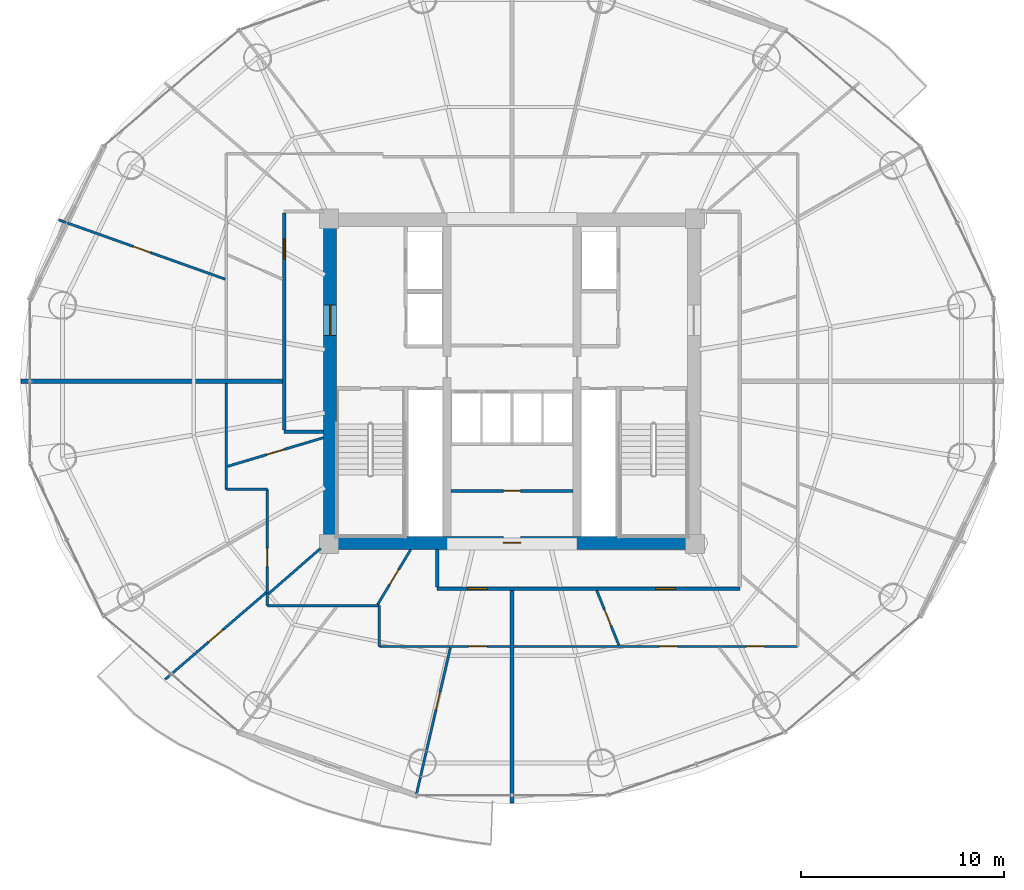
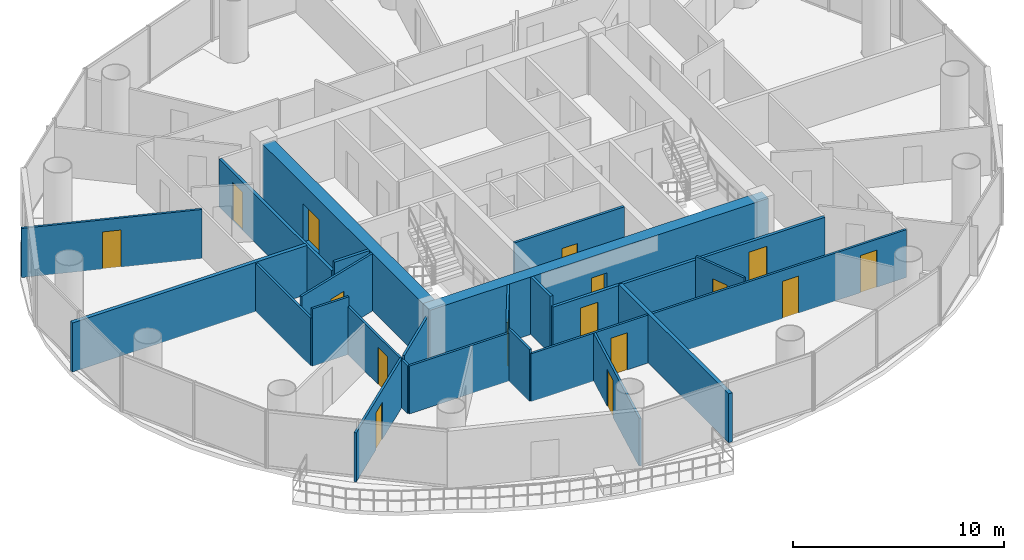
# One storey, part 21 of 27: 23 walls, 16 doors, 16 openings.
"""IFC4 building model written with IfcOpenShell, lengths in metres."""

from ifc_helpers import new_model, si_unit, direction, frame, frame_2d, origin, place, context, subcontext, project, spatial, rectangle, extrude, source, transform, mapped, material, layer, layer_set, type_object, element, fill, save


model = new_model("IFC4")

# Units and contexts
model_context = context("Model", 3, precision=1e-05, world=origin(), true_north=direction((-0.2419218956, 0.970295726276)))
body_context = subcontext(model_context, "Body", "Model", "MODEL_VIEW")
ifc_project = project(units=[si_unit("LENGTHUNIT", "METRE"), si_unit("AREAUNIT", "SQUARE_METRE"), si_unit("VOLUMEUNIT", "CUBIC_METRE"), si_unit("PLANEANGLEUNIT", "RADIAN"), si_unit("MASSUNIT", "GRAM", prefix="KILO")], contexts=[model_context])

# Site, building, storey
site_placement = place(None, origin())
site = spatial("IfcSite", under=ifc_project, at=site_placement, CompositionType="ELEMENT")
building_placement = place(site_placement, origin())
building = spatial("IfcBuilding", under=site, at=building_placement, Name="Cobrevalo Terracotta Tower", CompositionType="ELEMENT")
storey_placement = place(building_placement, frame((0.0, 0.0, 157.0)))
storey = spatial("IfcBuildingStorey", under=building, at=storey_placement, Name="L41", CompositionType="ELEMENT", Elevation=157.0)

# Wall, opening, door
ifc_material_1 = material(Name="Concrete C55", Category="concrete")
ifc_layer_1 = layer(ifc_material_1, 0.64990234375)
ifc_layer_set_1 = layer_set([ifc_layer_1], Name="Concrete C55")
wall_type_1 = type_object("IfcWallType", Name="Core shear wall 650 mm Concrete C55", PredefinedType="SHEAR", material=ifc_layer_set_1)
wall_1_placement = place(storey_placement, frame((28.72509765625, 18.85009765625, 0.0), z_axis=(0.0, 0.0, 1.0), x_axis=(1.0, 0.0, 0.0)))
wall_1 = element("IfcWall", 1, at=wall_1_placement, inside=storey, type_object=wall_type_1, Name="L41 south core shear wall", PredefinedType="SHEAR", context=body_context, shape_type="SweptSolid", body=[
    extrude(rectangle(XDim=18.5498046875, YDim=0.64990234375, at=frame_2d((9.27490234375, 0.0))), origin(), (0.0, 0.0, 1.0), 3.330078125),
])
opening_1_placement = place(wall_1_placement, frame((8.85009765625, 0.0, 0.0)))
opening_1 = element("IfcOpeningElement", 2, at=opening_1_placement, cuts=wall_1, Name="Opening ID-22", PredefinedType="OPENING", context=body_context, shape_type="SweptSolid", body=[
    extrude(rectangle(XDim=0.85009765625, YDim=2.10009765625, at=frame_2d((0.425048828125, 1.050048828125))), frame((0.0, 0.3349609375, 0.0), z_axis=(0.0, -1.0, 0.0), x_axis=(1.0, 0.0, 0.0)), (0.0, 0.0, 1.0), 0.669921875),
])
ifc_material_2 = material(Name="Powder-coated steel", Category="steel")
door_type_1 = type_object("IfcDoorType", Name="Riser shaft & meter closet fire access door 850x2100 EI 60", OperationType="NOTDEFINED", PredefinedType="DOOR", material=ifc_material_2)
shared_shape_1 = source(origin(), body_context, "Body", "SweptSolid", [
    extrude(rectangle(XDim=0.85009765625, YDim=2.10009765625, at=frame_2d((0.425048828125, 1.050048828125))), frame((0.0, 0.02490234375, 0.0), z_axis=(0.0, -1.0, 0.0), x_axis=(1.0, 0.0, 0.0)), (0.0, 0.0, 1.0), 0.050048828125),
])
door_1_placement = place(opening_1_placement, origin())
door_1 = element("IfcDoor", 3, at=door_1_placement, inside=storey, type_object=door_type_1, Name="L41 core south plant door Smoke Extract Fan Plant", OperationType="SINGLE_SWING_RIGHT", OverallHeight=2.10009765625, OverallWidth=0.85009765625, PredefinedType="DOOR", context=body_context, shape_type="MappedRepresentation", body=[
    mapped(shared_shape_1, transform((0.0, 0.0, 0.0), scale=1.0)),
])
fill(opening_1, door_1)

wall_2_placement = place(storey_placement, frame((29.050048828125, 19.175048828125, 0.0), z_axis=(0.0, 0.0, 1.0), x_axis=(0.0, 1.0, 0.0)))
wall_2 = element("IfcWall", 4, at=wall_2_placement, inside=storey, type_object=wall_type_1, Name="L41 west core shear wall", PredefinedType="SHEAR", context=body_context, shape_type="SweptSolid", body=[
    extrude(rectangle(XDim=15.25, YDim=0.64990234375, at=frame_2d((7.625, 0.0))), origin(), (0.0, 0.0, 1.0), 3.330078125),
])
opening_2_placement = place(wall_2_placement, frame((9.875, 0.0, 0.0)))
opening_2 = element("IfcOpeningElement", 5, at=opening_2_placement, cuts=wall_2, Name="Opening ID-14", PredefinedType="OPENING", context=body_context, shape_type="SweptSolid", body=[
    extrude(rectangle(XDim=1.5, YDim=2.199951171875, at=frame_2d((0.75, 1.10009765625))), frame((0.0, 0.3349609375, 0.0), z_axis=(0.0, -1.0, 0.0), x_axis=(1.0, 0.0, 0.0)), (0.0, 0.0, 1.0), 0.669921875),
])
ifc_material_3 = material(Name="Galvanized fire-rated steel", Category="steel")
door_type_2 = type_object("IfcDoorType", Name="Core cross-lobby double fire door 1500x2200 EI 90", OperationType="NOTDEFINED", PredefinedType="DOOR", material=ifc_material_3)
shared_shape_2 = source(origin(), body_context, "Body", "SweptSolid", [
    extrude(rectangle(XDim=1.5, YDim=2.199951171875, at=frame_2d((0.75, 1.10009765625))), frame((0.0, 0.02490234375, 0.0), z_axis=(0.0, -1.0, 0.0), x_axis=(1.0, 0.0, 0.0)), (0.0, 0.0, 1.0), 0.050048828125),
])
door_2_placement = place(opening_2_placement, origin())
door_2 = element("IfcDoor", 6, at=door_2_placement, inside=storey, type_object=door_type_2, Name="L41 west firefighting lobby entrance door", OperationType="DOUBLE_DOOR_SINGLE_SWING", OverallHeight=2.199951171875, OverallWidth=1.5, PredefinedType="DOOR", context=body_context, shape_type="MappedRepresentation", body=[
    mapped(shared_shape_2, transform((0.0, 0.0, 0.0), scale=1.0)),
])
fill(opening_2, door_2)

ifc_material_4 = material(Name="Gypsum board on steel stud", Category="steel")
ifc_layer_2 = layer(ifc_material_4, 0.159912109375)
ifc_layer_set_2 = layer_set([ifc_layer_2], Name="Gypsum board on steel stud")
wall_type_2 = type_object("IfcWallType", Name="Fire-rated corridor acoustic partition wall 160 mm", PredefinedType="PARTITIONING", material=ifc_layer_set_2)
wall_3_placement = place(storey_placement, frame((26.794921875, 24.39990234375, 0.0), z_axis=(0.0, 0.0, 1.0), x_axis=(0.0, 1.0, 0.0)))
wall_3 = element("IfcWall", 7, at=wall_3_placement, inside=storey, type_object=wall_type_2, Name="L41 interior partition IW-L41-COR-W", PredefinedType="PARTITIONING", context=body_context, shape_type="SweptSolid", body=[
    extrude(rectangle(XDim=10.675048828125, YDim=0.159912109375, at=frame_2d((5.33740234375, 0.0))), origin(), (0.0, 0.0, 1.0), 2.77587890625),
])
opening_3_placement = place(wall_3_placement, frame((8.422119140625, 0.0, 0.0)))
opening_3 = element("IfcOpeningElement", 8, at=opening_3_placement, cuts=wall_3, Name="Opening ID-05", PredefinedType="OPENING", context=body_context, shape_type="SweptSolid", body=[
    extrude(rectangle(XDim=0.97998046875, YDim=2.199951171875, at=frame_2d((0.489990234375, 1.10009765625))), frame((0.0, 0.08984375, 0.0), z_axis=(0.0, -1.0, 0.0), x_axis=(1.0, 0.0, 0.0)), (0.0, 0.0, 1.0), 0.179931640625),
])
ifc_material_5 = material(Name="Solid hardwood timber", Category="wood")
door_type_3 = type_object("IfcDoorType", Name="Residence entrance fire-rated acoustic timber door 980x2200 EI 60", OperationType="NOTDEFINED", PredefinedType="DOOR", material=ifc_material_5)
shared_shape_3 = source(origin(), body_context, "Body", "SweptSolid", [
    extrude(rectangle(XDim=0.97998046875, YDim=2.199951171875, at=frame_2d((0.489990234375, 1.10009765625))), frame((0.0, 0.02490234375, 0.0), z_axis=(0.0, -1.0, 0.0), x_axis=(1.0, 0.0, 0.0)), (0.0, 0.0, 1.0), 0.050048828125),
])
door_3_placement = place(opening_3_placement, origin())
door_3 = element("IfcDoor", 9, at=door_3_placement, inside=storey, type_object=door_type_3, Name="Flat L41B fire-rated apartment entrance door", OperationType="SINGLE_SWING_RIGHT", OverallHeight=2.199951171875, OverallWidth=0.97998046875, PredefinedType="DOOR", context=body_context, shape_type="MappedRepresentation", body=[
    mapped(shared_shape_3, transform((0.0, 0.0, 0.0), scale=1.0)),
])
fill(opening_3, door_3)

# Wall
wall_4_placement = place(storey_placement, frame((26.794921875, 24.320068359375, 0.0), z_axis=(0.0, 0.0, 1.0), x_axis=(1.0, 0.0, 0.0)))
element("IfcWall", 10, at=wall_4_placement, inside=storey, type_object=wall_type_2, Name="L41 interior partition IW-L41-COR-WS-CAP", PredefinedType="PARTITIONING", context=body_context, shape_type="SweptSolid", body=[
    extrude(rectangle(XDim=1.93017578125, YDim=0.159912109375, at=frame_2d((0.965087890625, 0.0))), origin(), (0.0, 0.0, 1.0), 3.330078125),
])

# Wall, openings, doors
wall_5_placement = place(storey_placement, frame((34.320068359375, 16.594970703125, 0.0), z_axis=(0.0, 0.0, 1.0), x_axis=(1.0, 0.0, 0.0)))
wall_5 = element("IfcWall", 11, at=wall_5_placement, inside=storey, type_object=wall_type_2, Name="L41 interior partition IW-L41-COR-S", PredefinedType="PARTITIONING", context=body_context, shape_type="SweptSolid", body=[
    extrude(rectangle(XDim=14.885009765625, YDim=0.159912109375, at=frame_2d((7.4423828125, 0.0))), origin(), (0.0, 0.0, 1.0), 2.77587890625),
])
opening_4_placement = place(wall_5_placement, frame((1.484130859375, 0.0, 0.0)))
opening_4 = element("IfcOpeningElement", 12, at=opening_4_placement, cuts=wall_5, Name="Opening ID-05", PredefinedType="OPENING", context=body_context, shape_type="SweptSolid", body=[
    extrude(rectangle(XDim=0.97998046875, YDim=2.199951171875, at=frame_2d((0.489990234375, 1.10009765625))), frame((0.0, 0.08984375, 0.0), z_axis=(0.0, -1.0, 0.0), x_axis=(1.0, 0.0, 0.0)), (0.0, 0.0, 1.0), 0.179931640625),
])
opening_5_placement = place(wall_5_placement, frame((10.740966796875, 0.0, 0.0)))
opening_5 = element("IfcOpeningElement", 13, at=opening_5_placement, cuts=wall_5, Name="Opening ID-05", PredefinedType="OPENING", context=body_context, shape_type="SweptSolid", body=[
    extrude(rectangle(XDim=0.97998046875, YDim=2.199951171875, at=frame_2d((0.489990234375, 1.10009765625))), frame((0.0, 0.08984375, 0.0), z_axis=(0.0, -1.0, 0.0), x_axis=(1.0, 0.0, 0.0)), (0.0, 0.0, 1.0), 0.179931640625),
])
door_4_placement = place(opening_4_placement, frame((0.97998046875, 0.0, 0.0), z_axis=(0.0, 0.0, 1.0), x_axis=(-1.0, 0.0, 0.0)))
door_4 = element("IfcDoor", 14, at=door_4_placement, inside=storey, type_object=door_type_3, Name="Flat L41C fire-rated apartment entrance door", OperationType="SINGLE_SWING_RIGHT", OverallHeight=2.199951171875, OverallWidth=0.97998046875, PredefinedType="DOOR", context=body_context, shape_type="MappedRepresentation", body=[
    mapped(shared_shape_3, transform((0.0, 0.0, 0.0), scale=1.0)),
])
fill(opening_4, door_4)
door_5_placement = place(opening_5_placement, frame((0.97998046875, 0.0, 0.0), z_axis=(0.0, 0.0, 1.0), x_axis=(-1.0, 0.0, 0.0)))
door_5 = element("IfcDoor", 15, at=door_5_placement, inside=storey, type_object=door_type_3, Name="Flat L41D fire-rated apartment entrance door", OperationType="SINGLE_SWING_LEFT", OverallHeight=2.199951171875, OverallWidth=0.97998046875, PredefinedType="DOOR", context=body_context, shape_type="MappedRepresentation", body=[
    mapped(shared_shape_3, transform((0.0, 0.0, 0.0), scale=1.0)),
])
fill(opening_5, door_5)

# Walls
wall_6_placement = place(storey_placement, frame((34.320068359375, 16.675048828125, 0.0), z_axis=(0.0, 0.0, 1.0), x_axis=(0.0, 1.0, 0.0)))
element("IfcWall", 16, at=wall_6_placement, inside=storey, type_object=wall_type_2, Name="L41 interior partition IW-L41-COR-SW-CAP", PredefinedType="PARTITIONING", context=body_context, shape_type="SweptSolid", body=[
    extrude(rectangle(XDim=1.849853515625, YDim=0.159912109375, at=frame_2d((0.9248046875, 0.0))), origin(), (0.0, 0.0, 1.0), 3.330078125),
])
ifc_material_6 = material(Name="Autoclaved aerated concrete block", Category="concrete")
ifc_layer_3 = layer(ifc_material_6, 0.199951171875)
ifc_layer_set_3 = layer_set([ifc_layer_3], Name="Autoclaved aerated concrete block")
wall_type_3 = type_object("IfcWallType", Name="Fire-rated stair, shaft & demising masonry wall 200 mm", PredefinedType="PARTITIONING", material=ifc_layer_set_3)
wall_7_placement = place(storey_placement, frame((26.715087890625, 26.800048828125, 0.0), z_axis=(0.0, 0.0, 1.0), x_axis=(-1.0, 0.0, 0.0)))
element("IfcWall", 17, at=wall_7_placement, inside=storey, type_object=wall_type_3, Name="L41 interior partition IW-L41-DEM-3", PredefinedType="PARTITIONING", context=body_context, shape_type="SweptSolid", body=[
    extrude(rectangle(XDim=12.85498046875, YDim=0.199951171875, at=frame_2d((6.427490234375, 0.0))), origin(), (0.0, 0.0, 1.0), 2.845947265625),
])
wall_8_placement = place(storey_placement, frame((38.0, 16.514892578125, 0.0), z_axis=(0.0, 0.0, 1.0), x_axis=(0.0, -1.0, 0.0)))
element("IfcWall", 18, at=wall_8_placement, inside=storey, type_object=wall_type_3, Name="L41 interior partition IW-L41-DEM-4", PredefinedType="PARTITIONING", context=body_context, shape_type="SweptSolid", body=[
    extrude(rectangle(XDim=10.454833984375, YDim=0.199951171875, at=frame_2d((5.2275390625, 0.0))), origin(), (0.0, 0.0, 1.0), 2.845947265625),
])

# Wall, opening, door
ifc_layer_4 = layer(ifc_material_6, 0.139892578125)
ifc_layer_set_4 = layer_set([ifc_layer_4], Name="Autoclaved aerated concrete block")
wall_type_4 = type_object("IfcWallType", Name="Moisture-resistant wet-room & core service partition 140 mm", PredefinedType="PARTITIONING", material=ifc_layer_set_4)
wall_9_placement = place(storey_placement, frame((34.989990234375, 21.407470703125, 0.0), z_axis=(0.0, 0.0, 1.0), x_axis=(1.0, 0.0, 0.0)))
wall_9 = element("IfcWall", 19, at=wall_9_placement, inside=storey, type_object=wall_type_4, Name="L41 interior partition IW-L41-KVS-H", PredefinedType="PARTITIONING", context=body_context, shape_type="SweptSolid", body=[
    extrude(rectangle(XDim=6.02001953125, YDim=0.139892578125, at=frame_2d((3.010009765625, 0.0))), origin(), (0.0, 0.0, 1.0), 3.330078125),
])
opening_6_placement = place(wall_9_placement, frame((2.5849609375, 0.0, 0.0)))
opening_6 = element("IfcOpeningElement", 20, at=opening_6_placement, cuts=wall_9, Name="Opening ID-22", PredefinedType="OPENING", context=body_context, shape_type="SweptSolid", body=[
    extrude(rectangle(XDim=0.85009765625, YDim=2.10009765625, at=frame_2d((0.425048828125, 1.050048828125))), frame((0.0, 0.080078125, 0.0), z_axis=(0.0, -1.0, 0.0), x_axis=(1.0, 0.0, 0.0)), (0.0, 0.0, 1.0), 0.159912109375),
])
door_6_placement = place(opening_6_placement, origin())
door_6 = element("IfcDoor", 21, at=door_6_placement, inside=storey, type_object=door_type_1, Name="L41 core manifold inner door", OperationType="SINGLE_SWING_LEFT", OverallHeight=2.10009765625, OverallWidth=0.85009765625, PredefinedType="DOOR", context=body_context, shape_type="MappedRepresentation", body=[
    mapped(shared_shape_1, transform((0.0, 0.0, 0.0), scale=1.0)),
])
fill(opening_6, door_6)

ifc_layer_5 = layer(ifc_material_4, 0.1201171875)
ifc_layer_set_5 = layer_set([ifc_layer_5], Name="Gypsum board on steel stud")
wall_type_5 = type_object("IfcWallType", Name="Residential internal acoustic stud partition 120 mm", PredefinedType="PARTITIONING", material=ifc_layer_set_5)
wall_10_placement = place(storey_placement, frame((23.896484375, 31.821044921875, 0.0), z_axis=(0.0, 0.0, 1.0), x_axis=(-0.942072876428, 0.335408251983, 0.0)))
wall_10 = element("IfcWall", 22, at=wall_10_placement, inside=storey, type_object=wall_type_5, Name="L41 interior partition IW-L41-U2-ORAD2", PredefinedType="PARTITIONING", context=body_context, shape_type="SweptSolid", body=[
    extrude(rectangle(XDim=8.69970703125, YDim=0.1201171875, at=frame_2d((4.349853515625, 0.0))), origin(), (0.0, 0.0, 1.0), 2.845947265625),
])
opening_7_placement = place(wall_10_placement, frame((3.89990234375, 0.0, 0.0)))
opening_7 = element("IfcOpeningElement", 23, at=opening_7_placement, cuts=wall_10, Name="Opening ID-12", PredefinedType="OPENING", context=body_context, shape_type="SweptSolid", body=[
    extrude(rectangle(XDim=0.89990234375, YDim=2.14990234375, at=frame_2d((0.449951171875, 1.074951171875))), frame((0.0, 0.070068359375, 0.0), z_axis=(0.0, -1.0, 0.0), x_axis=(1.0, 0.0, 0.0)), (0.0, 0.0, 1.0), 0.14013671875),
])
ifc_material_7 = material(Name="Engineered timber", Category="wood")
door_type_4 = type_object("IfcDoorType", Name="Internal residence & suite timber door 900x2150", OperationType="NOTDEFINED", PredefinedType="DOOR", material=ifc_material_7)
shared_shape_4 = source(origin(), body_context, "Body", "SweptSolid", [
    extrude(rectangle(XDim=0.89990234375, YDim=2.14990234375, at=frame_2d((0.449951171875, 1.074951171875))), frame((0.0, 0.02490234375, 0.0), z_axis=(0.0, -1.0, 0.0), x_axis=(1.0, 0.0, 0.0)), (0.0, 0.0, 1.0), 0.050048828125),
])
door_7_placement = place(opening_7_placement, origin())
door_7 = element("IfcDoor", 24, at=door_7_placement, inside=storey, type_object=door_type_4, Name="Flat L41B Penthouse Family Lounge internal door", OperationType="SINGLE_SWING_LEFT", OverallHeight=2.14990234375, OverallWidth=0.89990234375, PredefinedType="DOOR", context=body_context, shape_type="MappedRepresentation", body=[
    mapped(shared_shape_4, transform((0.0, 0.0, 0.0), scale=1.0)),
])
fill(opening_7, door_7)

wall_11_placement = place(storey_placement, frame((37.89794921875, 13.7548828125, 0.0), z_axis=(0.0, 0.0, 1.0), x_axis=(-1.0, 0.0, 0.0)))
wall_11 = element("IfcWall", 25, at=wall_11_placement, inside=storey, type_object=wall_type_5, Name="L41 interior partition IW-L41-U3-RING0_0", PredefinedType="PARTITIONING", context=body_context, shape_type="SweptSolid", body=[
    extrude(rectangle(XDim=6.41796875, YDim=0.1201171875, at=frame_2d((3.208984375, 0.0))), origin(), (0.0, 0.0, 1.0), 2.77587890625),
])
opening_8_placement = place(wall_11_placement, frame((1.131591796875, 0.0, 0.0)))
opening_8 = element("IfcOpeningElement", 26, at=opening_8_placement, cuts=wall_11, Name="Opening ID-12", PredefinedType="OPENING", context=body_context, shape_type="SweptSolid", body=[
    extrude(rectangle(XDim=0.89990234375, YDim=2.14990234375, at=frame_2d((0.449951171875, 1.074951171875))), frame((0.0, 0.070068359375, 0.0), z_axis=(0.0, -1.0, 0.0), x_axis=(1.0, 0.0, 0.0)), (0.0, 0.0, 1.0), 0.14013671875),
])
door_8_placement = place(opening_8_placement, origin())
door_8 = element("IfcDoor", 27, at=door_8_placement, inside=storey, type_object=door_type_4, Name="Flat L41C Penthouse Family Lounge internal door", OperationType="SINGLE_SWING_RIGHT", OverallHeight=2.14990234375, OverallWidth=0.89990234375, PredefinedType="DOOR", context=body_context, shape_type="MappedRepresentation", body=[
    mapped(shared_shape_4, transform((0.0, 0.0, 0.0), scale=1.0)),
])
fill(opening_8, door_8)

# Walls
wall_12_placement = place(storey_placement, frame((31.47998046875, 13.7548828125, 0.0), z_axis=(0.0, 0.0, 1.0), x_axis=(0.0, 1.0, 0.0)))
element("IfcWall", 28, at=wall_12_placement, inside=storey, type_object=wall_type_5, Name="L41 interior partition IW-L41-U3-RING1_0", PredefinedType="PARTITIONING", context=body_context, shape_type="SweptSolid", body=[
    extrude(rectangle(XDim=2.010009765625, YDim=0.1201171875, at=frame_2d((1.0048828125, 0.0))), origin(), (0.0, 0.0, 1.0), 3.0048828125),
])
wall_13_placement = place(storey_placement, frame((31.47998046875, 15.764892578125, 0.0), z_axis=(0.0, 0.0, 1.0), x_axis=(-1.0, 0.0, 0.0)))
element("IfcWall", 29, at=wall_13_placement, inside=storey, type_object=wall_type_5, Name="L41 interior partition IW-L41-U3-RING2_0", PredefinedType="PARTITIONING", context=body_context, shape_type="SweptSolid", body=[
    extrude(rectangle(XDim=5.514892578125, YDim=0.1201171875, at=frame_2d((2.75732421875, 0.0))), origin(), (0.0, 0.0, 1.0), 2.77587890625),
])

# Wall, opening, door
wall_14_placement = place(storey_placement, frame((25.965087890625, 15.764892578125, 0.0), z_axis=(0.0, 0.0, 1.0), x_axis=(0.0, 1.0, 0.0)))
wall_14 = element("IfcWall", 30, at=wall_14_placement, inside=storey, type_object=wall_type_5, Name="L41 interior partition IW-L41-U3-RING3_0", PredefinedType="PARTITIONING", context=body_context, shape_type="SweptSolid", body=[
    extrude(rectangle(XDim=5.715087890625, YDim=0.1201171875, at=frame_2d((2.857421875, 0.0))), origin(), (0.0, 0.0, 1.0), 2.77587890625),
])
opening_9_placement = place(wall_14_placement, frame((1.918701171875, 0.0, 0.0)))
opening_9 = element("IfcOpeningElement", 31, at=opening_9_placement, cuts=wall_14, Name="Opening ID-12", PredefinedType="OPENING", context=body_context, shape_type="SweptSolid", body=[
    extrude(rectangle(XDim=0.89990234375, YDim=2.14990234375, at=frame_2d((0.449951171875, 1.074951171875))), frame((0.0, 0.070068359375, 0.0), z_axis=(0.0, -1.0, 0.0), x_axis=(1.0, 0.0, 0.0)), (0.0, 0.0, 1.0), 0.14013671875),
])
door_9_placement = place(opening_9_placement, frame((0.89990234375, 0.0, 0.0), z_axis=(0.0, 0.0, 1.0), x_axis=(-1.0, 0.0, 0.0)))
door_9 = element("IfcDoor", 32, at=door_9_placement, inside=storey, type_object=door_type_4, Name="Flat L41C Kitchen internal door", OperationType="SINGLE_SWING_LEFT", OverallHeight=2.14990234375, OverallWidth=0.89990234375, PredefinedType="DOOR", context=body_context, shape_type="MappedRepresentation", body=[
    mapped(shared_shape_4, transform((0.0, 0.0, 0.0), scale=1.0)),
])
fill(opening_9, door_9)

# Walls
wall_15_placement = place(storey_placement, frame((25.965087890625, 21.47998046875, 0.0), z_axis=(0.0, 0.0, 1.0), x_axis=(-1.0, 0.0, 0.0)))
element("IfcWall", 33, at=wall_15_placement, inside=storey, type_object=wall_type_5, Name="L41 interior partition IW-L41-U3-RING4_0", PredefinedType="PARTITIONING", context=body_context, shape_type="SweptSolid", body=[
    extrude(rectangle(XDim=2.010009765625, YDim=0.1201171875, at=frame_2d((1.0048828125, 0.0))), origin(), (0.0, 0.0, 1.0), 3.330078125),
])
wall_16_placement = place(storey_placement, frame((23.955078125, 21.47998046875, 0.0), z_axis=(0.0, 0.0, 1.0), x_axis=(0.0, 1.0, 0.0)))
element("IfcWall", 34, at=wall_16_placement, inside=storey, type_object=wall_type_5, Name="L41 interior partition IW-L41-U3-RING5_0", PredefinedType="PARTITIONING", context=body_context, shape_type="SweptSolid", body=[
    extrude(rectangle(XDim=5.218017578125, YDim=0.1201171875, at=frame_2d((2.60888671875, 0.0))), origin(), (0.0, 0.0, 1.0), 2.77587890625),
])

# Wall, opening, door
wall_17_placement = place(storey_placement, frame((25.91796875, 16.41552734375, 0.0), z_axis=(0.0, 0.0, 1.0), x_axis=(-0.758356041353, -0.651840559142, 0.0)))
wall_17 = element("IfcWall", 35, at=wall_17_placement, inside=storey, type_object=wall_type_5, Name="L41 interior partition IW-L41-U3-ORAD2", PredefinedType="PARTITIONING", context=body_context, shape_type="SweptSolid", body=[
    extrude(rectangle(XDim=6.569091796875, YDim=0.1201171875, at=frame_2d((3.28466796875, 0.0))), origin(), (0.0, 0.0, 1.0), 2.845947265625),
])
opening_10_placement = place(wall_17_placement, frame((2.83447265625, 0.0, 0.0)))
opening_10 = element("IfcOpeningElement", 36, at=opening_10_placement, cuts=wall_17, Name="Opening ID-12", PredefinedType="OPENING", context=body_context, shape_type="SweptSolid", body=[
    extrude(rectangle(XDim=0.89990234375, YDim=2.14990234375, at=frame_2d((0.449951171875, 1.074951171875))), frame((0.0, 0.070068359375, 0.0), z_axis=(0.0, -1.0, 0.0), x_axis=(1.0, 0.0, 0.0)), (0.0, 0.0, 1.0), 0.14013671875),
])
door_10_placement = place(opening_10_placement, frame((0.89990234375, 0.0, 0.0), z_axis=(0.0, 0.0, 1.0), x_axis=(-1.0, 0.0, 0.0)))
door_10 = element("IfcDoor", 37, at=door_10_placement, inside=storey, type_object=door_type_4, Name="Flat L41C Master Bedroom internal door", OperationType="SINGLE_SWING_LEFT", OverallHeight=2.14990234375, OverallWidth=0.89990234375, PredefinedType="DOOR", context=body_context, shape_type="MappedRepresentation", body=[
    mapped(shared_shape_4, transform((0.0, 0.0, 0.0), scale=1.0)),
])
fill(opening_10, door_10)

wall_18_placement = place(storey_placement, frame((34.967041015625, 13.694580078125, 0.0), z_axis=(0.0, 0.0, 1.0), x_axis=(-0.225458405801, -0.974252794327, 0.0)))
wall_18 = element("IfcWall", 38, at=wall_18_placement, inside=storey, type_object=wall_type_5, Name="L41 interior partition IW-L41-U3-ORAD3", PredefinedType="PARTITIONING", context=body_context, shape_type="SweptSolid", body=[
    extrude(rectangle(XDim=7.383056640625, YDim=0.1201171875, at=frame_2d((3.69140625, 0.0))), origin(), (0.0, 0.0, 1.0), 2.77587890625),
])
opening_11_placement = place(wall_18_placement, frame((2.23193359375, 0.0, 0.0)))
opening_11 = element("IfcOpeningElement", 39, at=opening_11_placement, cuts=wall_18, Name="Opening ID-12", PredefinedType="OPENING", context=body_context, shape_type="SweptSolid", body=[
    extrude(rectangle(XDim=0.89990234375, YDim=2.14990234375, at=frame_2d((0.449951171875, 1.074951171875))), frame((0.0, 0.070068359375, 0.0), z_axis=(0.0, -1.0, 0.0), x_axis=(1.0, 0.0, 0.0)), (0.0, 0.0, 1.0), 0.14013671875),
])
door_11_placement = place(opening_11_placement, frame((0.89990234375, 0.0, 0.0), z_axis=(0.0, 0.0, 1.0), x_axis=(-1.0, 0.0, 0.0)))
door_11 = element("IfcDoor", 40, at=door_11_placement, inside=storey, type_object=door_type_4, Name="Flat L41C Principal Guest Bedroom internal door", OperationType="SINGLE_SWING_LEFT", OverallHeight=2.14990234375, OverallWidth=0.89990234375, PredefinedType="DOOR", context=body_context, shape_type="MappedRepresentation", body=[
    mapped(shared_shape_4, transform((0.0, 0.0, 0.0), scale=1.0)),
])
fill(opening_11, door_11)

wall_19_placement = place(storey_placement, frame((28.72314453125, 24.024658203125, 0.0), z_axis=(0.0, 0.0, 1.0), x_axis=(-0.958046115523, -0.286614096882, 0.0)))
wall_19 = element("IfcWall", 41, at=wall_19_placement, inside=storey, type_object=wall_type_5, Name="L41 interior partition IW-L41-U3-IRAD1", PredefinedType="PARTITIONING", context=body_context, shape_type="SweptSolid", body=[
    extrude(rectangle(XDim=4.9150390625, YDim=0.1201171875, at=frame_2d((2.45751953125, 0.0))), origin(), (0.0, 0.0, 1.0), 3.330078125),
])
opening_12_placement = place(wall_19_placement, frame((2.00732421875, 0.0, 0.0)))
opening_12 = element("IfcOpeningElement", 42, at=opening_12_placement, cuts=wall_19, Name="Opening ID-12", PredefinedType="OPENING", context=body_context, shape_type="SweptSolid", body=[
    extrude(rectangle(XDim=0.89990234375, YDim=2.14990234375, at=frame_2d((0.449951171875, 1.074951171875))), frame((0.0, 0.070068359375, 0.0), z_axis=(0.0, -1.0, 0.0), x_axis=(1.0, 0.0, 0.0)), (0.0, 0.0, 1.0), 0.14013671875),
])
door_12_placement = place(opening_12_placement, frame((0.89990234375, 0.0, 0.0), z_axis=(0.0, 0.0, 1.0), x_axis=(-1.0, 0.0, 0.0)))
door_12 = element("IfcDoor", 43, at=door_12_placement, inside=storey, type_object=door_type_4, Name="Flat L41C Private Library Meeting Room internal door", OperationType="SINGLE_SWING_RIGHT", OverallHeight=2.14990234375, OverallWidth=0.89990234375, PredefinedType="DOOR", context=body_context, shape_type="MappedRepresentation", body=[
    mapped(shared_shape_4, transform((0.0, 0.0, 0.0), scale=1.0)),
])
fill(opening_12, door_12)

# Wall
wall_20_placement = place(storey_placement, frame((28.58837890625, 18.585205078125, 0.0), z_axis=(0.0, 0.0, 1.0), x_axis=(-0.753380933673, -0.657584343471, 0.0)))
element("IfcWall", 44, at=wall_20_placement, inside=storey, type_object=wall_type_5, Name="L41 interior partition IW-L41-U3-IRAD2", PredefinedType="PARTITIONING", context=body_context, shape_type="SweptSolid", body=[
    extrude(rectangle(XDim=3.420166015625, YDim=0.1201171875, at=frame_2d((1.7099609375, 0.0))), origin(), (0.0, 0.0, 1.0), 3.0048828125),
])

# Wall, opening, door
wall_21_placement = place(storey_placement, frame((33.01953125, 18.52490234375, 0.0), z_axis=(0.0, 0.0, 1.0), x_axis=(-0.515677168, -0.856782970421, 0.0)))
wall_21 = element("IfcWall", 45, at=wall_21_placement, inside=storey, type_object=wall_type_5, Name="L41 interior partition IW-L41-U3-IRAD3", PredefinedType="PARTITIONING", context=body_context, shape_type="SweptSolid", body=[
    extrude(rectangle(XDim=3.1591796875, YDim=0.1201171875, at=frame_2d((1.57958984375, 0.0))), origin(), (0.0, 0.0, 1.0), 3.330078125),
])
opening_13_placement = place(wall_21_placement, frame((1.149658203125, 0.0, 0.0)))
opening_13 = element("IfcOpeningElement", 46, at=opening_13_placement, cuts=wall_21, Name="Opening ID-19", PredefinedType="OPENING", context=body_context, shape_type="SweptSolid", body=[
    extrude(rectangle(XDim=0.860107421875, YDim=2.14990234375, at=frame_2d((0.43017578125, 1.074951171875))), frame((0.0, 0.070068359375, 0.0), z_axis=(0.0, -1.0, 0.0), x_axis=(1.0, 0.0, 0.0)), (0.0, 0.0, 1.0), 0.14013671875),
])
ifc_material_8 = material(Name="Moisture-sealed timber", Category="wood")
door_type_5 = type_object("IfcDoorType", Name="Suite bathroom internal timber door 860x2150", OperationType="NOTDEFINED", PredefinedType="DOOR", material=ifc_material_8)
shared_shape_5 = source(origin(), body_context, "Body", "SweptSolid", [
    extrude(rectangle(XDim=0.860107421875, YDim=2.14990234375, at=frame_2d((0.43017578125, 1.074951171875))), frame((0.0, 0.02490234375, 0.0), z_axis=(0.0, -1.0, 0.0), x_axis=(1.0, 0.0, 0.0)), (0.0, 0.0, 1.0), 0.050048828125),
])
door_13_placement = place(opening_13_placement, frame((0.860107421875, 0.0, 0.0), z_axis=(0.0, 0.0, 1.0), x_axis=(-1.0, 0.0, 0.0)))
door_13 = element("IfcDoor", 47, at=door_13_placement, inside=storey, type_object=door_type_5, Name="Flat L41C Primary Bathroom internal door", OperationType="SINGLE_SWING_LEFT", OverallHeight=2.14990234375, OverallWidth=0.860107421875, PredefinedType="DOOR", context=body_context, shape_type="MappedRepresentation", body=[
    mapped(shared_shape_5, transform((0.0, 0.0, 0.0), scale=1.0)),
])
fill(opening_13, door_13)

# Wall, openings, doors
wall_22_placement = place(storey_placement, frame((52.044921875, 13.7548828125, 0.0), z_axis=(0.0, 0.0, 1.0), x_axis=(-1.0, 0.0, 0.0)))
wall_22 = element("IfcWall", 48, at=wall_22_placement, inside=storey, type_object=wall_type_5, Name="L41 interior partition IW-L41-U4-RING1_0", PredefinedType="PARTITIONING", context=body_context, shape_type="SweptSolid", body=[
    extrude(rectangle(XDim=13.94287109375, YDim=0.1201171875, at=frame_2d((6.971435546875, 0.0))), origin(), (0.0, 0.0, 1.0), 2.77587890625),
])
opening_14_placement = place(wall_22_placement, frame((5.900390625, 0.0, 0.0)))
opening_14 = element("IfcOpeningElement", 49, at=opening_14_placement, cuts=wall_22, Name="Opening ID-12", PredefinedType="OPENING", context=body_context, shape_type="SweptSolid", body=[
    extrude(rectangle(XDim=0.89990234375, YDim=2.14990234375, at=frame_2d((0.449951171875, 1.074951171875))), frame((0.0, 0.070068359375, 0.0), z_axis=(0.0, -1.0, 0.0), x_axis=(1.0, 0.0, 0.0)), (0.0, 0.0, 1.0), 0.14013671875),
])
opening_15_placement = place(wall_22_placement, frame((1.621826171875, 0.0, 0.0)))
opening_15 = element("IfcOpeningElement", 50, at=opening_15_placement, cuts=wall_22, Name="Opening ID-12", PredefinedType="OPENING", context=body_context, shape_type="SweptSolid", body=[
    extrude(rectangle(XDim=0.89990234375, YDim=2.14990234375, at=frame_2d((0.449951171875, 1.074951171875))), frame((0.0, 0.070068359375, 0.0), z_axis=(0.0, -1.0, 0.0), x_axis=(1.0, 0.0, 0.0)), (0.0, 0.0, 1.0), 0.14013671875),
])
door_14_placement = place(opening_14_placement, origin())
door_14 = element("IfcDoor", 51, at=door_14_placement, inside=storey, type_object=door_type_4, Name="Flat L41D Living and Dining Room internal door", OperationType="SINGLE_SWING_LEFT", OverallHeight=2.14990234375, OverallWidth=0.89990234375, PredefinedType="DOOR", context=body_context, shape_type="MappedRepresentation", body=[
    mapped(shared_shape_4, transform((0.0, 0.0, 0.0), scale=1.0)),
])
fill(opening_14, door_14)
door_15_placement = place(opening_15_placement, origin())
door_15 = element("IfcDoor", 52, at=door_15_placement, inside=storey, type_object=door_type_4, Name="Flat L41D Master Bedroom internal door", OperationType="SINGLE_SWING_RIGHT", OverallHeight=2.14990234375, OverallWidth=0.89990234375, PredefinedType="DOOR", context=body_context, shape_type="MappedRepresentation", body=[
    mapped(shared_shape_4, transform((0.0, 0.0, 0.0), scale=1.0)),
])
fill(opening_15, door_15)

# Wall, opening, door
wall_23_placement = place(storey_placement, frame((42.1650390625, 16.514892578125, 0.0), z_axis=(0.0, 0.0, 1.0), x_axis=(0.375386324206, -0.926868441365, 0.0)))
wall_23 = element("IfcWall", 53, at=wall_23_placement, inside=storey, type_object=wall_type_5, Name="L41 interior partition IW-L41-U4-IRAD1", PredefinedType="PARTITIONING", context=body_context, shape_type="SweptSolid", body=[
    extrude(rectangle(XDim=2.91552734375, YDim=0.1201171875, at=frame_2d((1.457763671875, 0.0))), origin(), (0.0, 0.0, 1.0), 3.0048828125),
])
opening_16_placement = place(wall_23_placement, frame((1.02783203125, 0.0, 0.0)))
opening_16 = element("IfcOpeningElement", 54, at=opening_16_placement, cuts=wall_23, Name="Opening ID-19", PredefinedType="OPENING", context=body_context, shape_type="SweptSolid", body=[
    extrude(rectangle(XDim=0.860107421875, YDim=2.14990234375, at=frame_2d((0.43017578125, 1.074951171875))), frame((0.0, 0.070068359375, 0.0), z_axis=(0.0, -1.0, 0.0), x_axis=(1.0, 0.0, 0.0)), (0.0, 0.0, 1.0), 0.14013671875),
])
door_16_placement = place(opening_16_placement, frame((0.860107421875, 0.0, 0.0), z_axis=(0.0, 0.0, 1.0), x_axis=(-1.0, 0.0, 0.0)))
door_16 = element("IfcDoor", 55, at=door_16_placement, inside=storey, type_object=door_type_5, Name="Flat L41D Primary Bathroom internal door", OperationType="SINGLE_SWING_RIGHT", OverallHeight=2.14990234375, OverallWidth=0.860107421875, PredefinedType="DOOR", context=body_context, shape_type="MappedRepresentation", body=[
    mapped(shared_shape_5, transform((0.0, 0.0, 0.0), scale=1.0)),
])
fill(opening_16, door_16)

save(model, "model.ifc")
